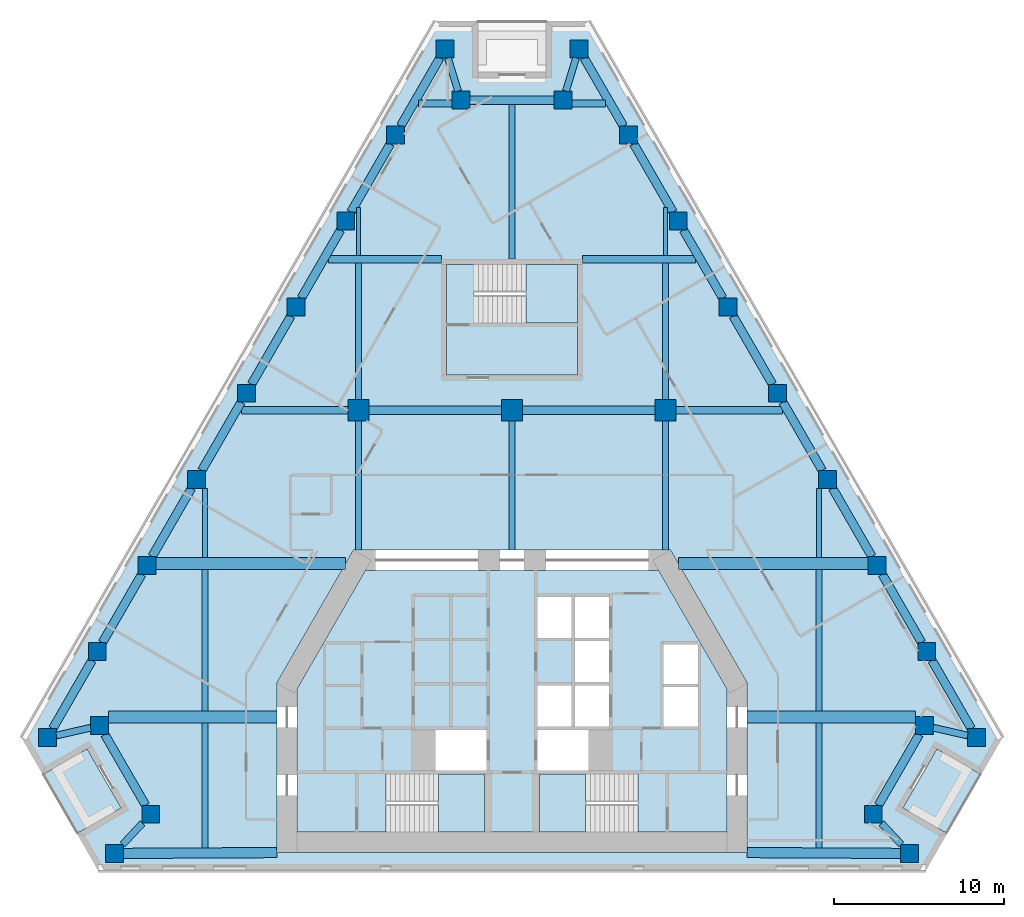
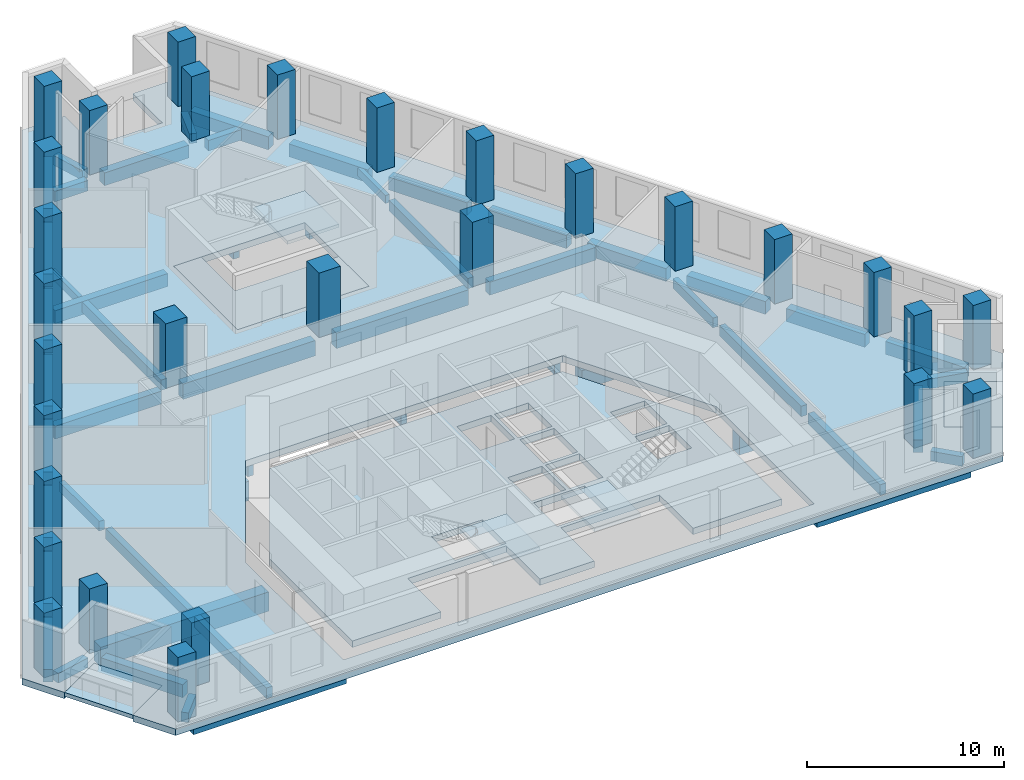
# One storey, part 1 of 8: 53 beams, 29 columns, 8 slabs, 3 elements without a shape of their own.
"""IFC4 building model written with IfcOpenShell, lengths in metres."""

from ifc_helpers import new_model, si_unit, direction, frame, origin, origin_2d, place, context, subcontext, project, spatial, polyline, rectangle, outline, extrude, material, layer, layer_set, material_profile, profile_set, type_object, element, aggregate, save


model = new_model("IFC4")

# Units and contexts
model_context = context("Model", 3, precision=1e-05, world=origin(), true_north=direction((0.0, 1.0)))
body_context = subcontext(model_context, "Body", "Model", "MODEL_VIEW")
ifc_project = project(units=[si_unit("LENGTHUNIT", "METRE"), si_unit("AREAUNIT", "SQUARE_METRE"), si_unit("VOLUMEUNIT", "CUBIC_METRE"), si_unit("PLANEANGLEUNIT", "RADIAN"), si_unit("MASSUNIT", "GRAM", prefix="KILO")], contexts=[model_context])

# Site, building, storey
site_placement = place(None, origin())
site = spatial("IfcSite", under=ifc_project, at=site_placement, CompositionType="ELEMENT")
building_placement = place(site_placement, origin())
building = spatial("IfcBuilding", under=site, at=building_placement, Name="Fogline Exchange Tower", CompositionType="ELEMENT")
storey_placement = place(building_placement, frame((0.0, 0.0, 162.89990234375)))
storey = spatial("IfcBuildingStorey", under=building, at=storey_placement, Name="L36", CompositionType="ELEMENT", Elevation=162.89990234375)

# Columns
ifc_material_1 = material(Name="Concrete C70", Category="concrete")
ifc_material_profile_1 = material_profile(ifc_material_1, rectangle(XDim=1.25, YDim=1.25, at=origin_2d()), Name="RC 1250x1250")
ifc_profile_set_1 = profile_set([ifc_material_profile_1], Name="Concrete C70")
column_type_1 = type_object("IfcColumnType", Name="C03", PredefinedType="COLUMN", material=ifc_profile_set_1)
for number, where, z_axis, x_axis, name in (
    (1, (-9.0, 27.0, 0.0), (0.0, 0.0, 1.0), (1.0, 0.0, 0.0), "IC--9-27"),
    (2, (0.0, 27.0, 0.0), (0.0, 0.0, 1.0), (1.0, 0.0, 0.0), "IC-0-27"),
    (3, (9.0, 27.0, 0.0), (0.0, 0.0, 1.0), (1.0, 0.0, 0.0), "IC-9-27"),
):
    element("IfcColumn", number, at=place(storey_placement, frame(where, z_axis=z_axis, x_axis=x_axis)), inside=storey, type_object=column_type_1, Name=name, PredefinedType="COLUMN", context=body_context, shape_type="SweptSolid", body=[
        extrude(rectangle(XDim=1.25, YDim=1.25, at=origin_2d()), origin(), (0.0, 0.0, 1.0), 4.0),
    ])
ifc_material_profile_2 = material_profile(ifc_material_1, rectangle(XDim=1.050048828125, YDim=1.050048828125, at=origin_2d()), Name="RC 1050x1050")
ifc_profile_set_2 = profile_set([ifc_material_profile_2], Name="Concrete C70")
column_type_2 = type_object("IfcColumnType", Name="C04", PredefinedType="COLUMN", material=ifc_profile_set_2)
for number, where, z_axis, x_axis, name in (
    (4, (-27.2490234375, 7.794189453125, 0.0), (0.0, 0.0, 1.0), (1.0, 0.0, 0.0), "SW-a"),
    (5, (-24.189697265625, 8.4951171875, 0.0), (0.0, 0.0, 1.0), (1.0, 0.0, 0.0), "SW-p4"),
    (6, (-21.189697265625, 3.299072265625, 0.0), (0.0, 0.0, 1.0), (1.0, 0.0, 0.0), "SW-p3"),
    (7, (-23.326416015625, 1.0, 0.0), (0.0, 0.0, 1.0), (1.0, 0.0, 0.0), "SW-b"),
    (8, (23.326416015625, 1.0, 0.0), (0.0, 0.0, 1.0), (1.0, 0.0, 0.0), "SE-a"),
    (9, (21.189697265625, 3.299072265625, 0.0), (0.0, 0.0, 1.0), (1.0, 0.0, 0.0), "SE-p4"),
    (10, (24.189697265625, 8.4951171875, 0.0), (0.0, 0.0, 1.0), (1.0, 0.0, 0.0), "SE-p3"),
    (11, (27.2490234375, 7.794189453125, 0.0), (0.0, 0.0, 1.0), (1.0, 0.0, 0.0), "SE-b"),
    (12, (24.333251953125, 12.844482421875, 0.0), (0.0, 0.0, 1.0), (1.0, 0.0, 0.0), "E1"),
    (13, (21.41748046875, 17.894775390625, 0.0), (0.0, 0.0, 1.0), (1.0, 0.0, 0.0), "E2"),
    (14, (18.501708984375, 22.945068359375, 0.0), (0.0, 0.0, 1.0), (1.0, 0.0, 0.0), "E3"),
    (15, (15.585693359375, 27.995361328125, 0.0), (0.0, 0.0, 1.0), (1.0, 0.0, 0.0), "E4"),
    (16, (12.669921875, 33.045654296875, 0.0), (0.0, 0.0, 1.0), (1.0, 0.0, 0.0), "E5"),
    (17, (9.754150390625, 38.095947265625, 0.0), (0.0, 0.0, 1.0), (1.0, 0.0, 0.0), "E6"),
    (18, (6.83837890625, 43.146240234375, 0.0), (0.0, 0.0, 1.0), (1.0, 0.0, 0.0), "E7"),
    (19, (3.922607421875, 48.19677734375, 0.0), (0.0, 0.0, 1.0), (1.0, 0.0, 0.0), "N-a"),
    (20, (3.0, 45.19677734375, 0.0), (0.0, 0.0, 1.0), (1.0, 0.0, 0.0), "N-p4"),
    (21, (-3.0, 45.19677734375, 0.0), (0.0, 0.0, 1.0), (1.0, 0.0, 0.0), "N-p3"),
    (22, (-3.922607421875, 48.19677734375, 0.0), (0.0, 0.0, 1.0), (1.0, 0.0, 0.0), "N-b"),
    (23, (-6.83837890625, 43.146240234375, 0.0), (0.0, 0.0, 1.0), (1.0, 0.0, 0.0), "W1"),
    (24, (-9.754150390625, 38.095947265625, 0.0), (0.0, 0.0, 1.0), (1.0, 0.0, 0.0), "W2"),
    (25, (-12.669921875, 33.045654296875, 0.0), (0.0, 0.0, 1.0), (1.0, 0.0, 0.0), "W3"),
    (26, (-15.585693359375, 27.995361328125, 0.0), (0.0, 0.0, 1.0), (1.0, 0.0, 0.0), "W4"),
    (27, (-18.501708984375, 22.945068359375, 0.0), (0.0, 0.0, 1.0), (1.0, 0.0, 0.0), "W5"),
    (28, (-21.41748046875, 17.894775390625, 0.0), (0.0, 0.0, 1.0), (1.0, 0.0, 0.0), "W6"),
    (29, (-24.333251953125, 12.844482421875, 0.0), (0.0, 0.0, 1.0), (1.0, 0.0, 0.0), "W7"),
):
    element("IfcColumn", number, at=place(storey_placement, frame(where, z_axis=z_axis, x_axis=x_axis)), inside=storey, type_object=column_type_2, Name=name, PredefinedType="COLUMN", context=body_context, shape_type="SweptSolid", body=[
        extrude(rectangle(XDim=1.050048828125, YDim=1.050048828125, at=origin_2d()), origin(), (0.0, 0.0, 1.0), 4.0),
    ])

# Beams
ifc_material_2 = material(Name="Concrete C40", Category="concrete")
ifc_material_profile_3 = material_profile(ifc_material_2, rectangle(XDim=0.300048828125, YDim=0.60009765625, at=origin_2d()), Name="RC 300x600")
ifc_profile_set_3 = profile_set([ifc_material_profile_3], Name="Concrete C40")
beam_type_1 = type_object("IfcBeamType", Name="B06", PredefinedType="BEAM", material=ifc_profile_set_3)
for number, where, z_axis, x_axis, name in (
    (30, (-18.0, 18.35009765625, -0.699951171875), (0.0, 1.0, 0.0), (-1.0, 0.0, 0.0), "SB003"),
    (31, (18.0, 18.35009765625, -0.699951171875), (0.0, 1.0, 0.0), (-1.0, 0.0, 0.0), "SB014"),
):
    element("IfcBeam", number, at=place(storey_placement, frame(where, z_axis=z_axis, x_axis=x_axis)), inside=storey, type_object=beam_type_1, Name=name, PredefinedType="BEAM", context=body_context, shape_type="SweptSolid", body=[
        extrude(rectangle(XDim=0.300048828125, YDim=0.60009765625, at=origin_2d()), origin(), (0.0, 0.0, 1.0), 4.070068359375),
    ])
ifc_material_profile_4 = material_profile(ifc_material_2, rectangle(XDim=0.25, YDim=0.5, at=origin_2d()), Name="RC 250x500")
ifc_profile_set_4 = profile_set([ifc_material_profile_4], Name="Concrete C40")
beam_type_2 = type_object("IfcBeamType", Name="B08", PredefinedType="BEAM", material=ifc_profile_set_4)
for number, where, z_axis, x_axis, name in (
    (32, (-9.0, 36.08203125, -0.64990234375), (0.0, 1.0, 0.0), (-1.0, 0.0, 0.0), "SB006"),
    (33, (9.0, 36.08203125, -0.64990234375), (0.0, 1.0, 0.0), (-1.0, 0.0, 0.0), "SB011"),
):
    element("IfcBeam", number, at=place(storey_placement, frame(where, z_axis=z_axis, x_axis=x_axis)), inside=storey, type_object=beam_type_2, Name=name, PredefinedType="BEAM", context=body_context, shape_type="SweptSolid", body=[
        extrude(rectangle(XDim=0.25, YDim=0.5, at=origin_2d()), origin(), (0.0, 0.0, 1.0), 2.8203125),
    ])
ifc_material_profile_5 = material_profile(ifc_material_2, rectangle(XDim=0.60009765625, YDim=0.89990234375, at=origin_2d()), Name="RC 600x900")
ifc_profile_set_5 = profile_set([ifc_material_profile_5], Name="Concrete C40")
beam_type_3 = type_object("IfcBeamType", Name="B09", PredefinedType="BEAM", material=ifc_profile_set_5)
for number, where, z_axis, x_axis, name in (
    (34, (-22.801513671875, 1.0, -0.849853515625), (0.999984543136, 0.005559990001, 0.0), (-0.005559990001, 0.999984543136, 0.0), "RB004"),
    (35, (13.800048828125, 1.050048828125, -0.849853515625), (0.999984543136, -0.005559990001, 0.0), (0.005559990001, 0.999984543136, 0.0), "RB005"),
):
    element("IfcBeam", number, at=place(storey_placement, frame(where, z_axis=z_axis, x_axis=x_axis)), inside=storey, type_object=beam_type_3, Name=name, PredefinedType="BEAM", context=body_context, shape_type="SweptSolid", body=[
        extrude(rectangle(XDim=0.60009765625, YDim=0.89990234375, at=origin_2d()), origin(), (0.0, 0.0, 1.0), 9.001708984375),
    ])
ifc_material_profile_6 = material_profile(ifc_material_2, rectangle(XDim=0.5, YDim=0.800048828125, at=origin_2d()), Name="RC 500x800")
ifc_profile_set_6 = profile_set([ifc_material_profile_6], Name="Concrete C40")
beam_type_4 = type_object("IfcBeamType", Name="B10", PredefinedType="BEAM", material=ifc_profile_set_6)
for number, where, z_axis, x_axis, name in (
    (36, (-23.886474609375, 7.97021484375, -0.7998046875), (0.499994660107, -0.866028486751, 0.0), (0.866028486751, 0.499994660107, 0.0), "RB002"),
    (37, (21.49267578125, 3.823974609375, -0.7998046875), (0.499994660107, 0.866028486751, 0.0), (-0.866028486751, 0.499994660107, 0.0), "RB007"),
):
    element("IfcBeam", number, at=place(storey_placement, frame(where, z_axis=z_axis, x_axis=x_axis)), inside=storey, type_object=beam_type_4, Name=name, PredefinedType="BEAM", context=body_context, shape_type="SweptSolid", body=[
        extrude(rectangle(XDim=0.5, YDim=0.800048828125, at=origin_2d()), origin(), (0.0, 0.0, 1.0), 4.78759765625),
    ])
for number, where, z_axis, x_axis, name in (
    (38, (26.94580078125, 8.319091796875, -0.7998046875), (-0.499981705991, 0.866035965578, 0.0), (-0.866035965578, -0.499981705991, 0.0), "RB009"),
    (39, (24.030029296875, 13.369384765625, -0.7998046875), (-0.499981705991, 0.866035965578, 0.0), (-0.866035965578, -0.499981705991, 0.0), "RB010"),
):
    element("IfcBeam", number, at=place(storey_placement, frame(where, z_axis=z_axis, x_axis=x_axis)), inside=storey, type_object=beam_type_4, Name=name, PredefinedType="BEAM", context=body_context, shape_type="SweptSolid", body=[
        extrude(rectangle(XDim=0.5, YDim=0.800048828125, at=origin_2d()), origin(), (0.0, 0.0, 1.0), 4.619384765625),
    ])
for number, where, z_axis, x_axis, name in (
    (40, (21.1142578125, 18.419921875, -0.7998046875), (-0.500004591975, 0.86602275259, 0.0), (-0.86602275259, -0.500004591975, 0.0), "RB011"),
    (41, (18.198486328125, 23.47021484375, -0.7998046875), (-0.500004591975, 0.86602275259, 0.0), (-0.86602275259, -0.500004591975, 0.0), "RB012"),
    (42, (15.28271484375, 28.5205078125, -0.7998046875), (-0.500004591975, 0.86602275259, 0.0), (-0.86602275259, -0.500004591975, 0.0), "RB013"),
    (43, (12.366943359375, 33.57080078125, -0.7998046875), (-0.500004591975, 0.86602275259, 0.0), (-0.86602275259, -0.500004591975, 0.0), "RB014"),
    (44, (9.451171875, 38.62109375, -0.7998046875), (-0.500004591975, 0.86602275259, 0.0), (-0.86602275259, -0.500004591975, 0.0), "RB015"),
    (45, (6.535400390625, 43.67138671875, -0.7998046875), (-0.500004591975, 0.86602275259, 0.0), (-0.86602275259, -0.500004591975, 0.0), "RB016"),
):
    element("IfcBeam", number, at=place(storey_placement, frame(where, z_axis=z_axis, x_axis=x_axis)), inside=storey, type_object=beam_type_4, Name=name, PredefinedType="BEAM", context=body_context, shape_type="SweptSolid", body=[
        extrude(rectangle(XDim=0.5, YDim=0.800048828125, at=origin_2d()), origin(), (0.0, 0.0, 1.0), 4.619140625),
    ])
beam_1_placement = place(storey_placement, frame((2.47509765625, 45.19677734375, -0.7998046875), z_axis=(-1.0, 0.0, 0.0), x_axis=(0.0, -1.0, 0.0)))
element("IfcBeam", 46, at=beam_1_placement, inside=storey, type_object=beam_type_4, Name="RB018", PredefinedType="BEAM", context=body_context, shape_type="SweptSolid", body=[
    extrude(rectangle(XDim=0.5, YDim=0.800048828125, at=origin_2d()), origin(), (0.0, 0.0, 1.0), 4.9501953125),
])
for number, where, z_axis, x_axis, name in (
    (47, (-4.225830078125, 47.671630859375, -0.7998046875), (-0.500004591975, -0.86602275259, 0.0), (0.86602275259, -0.500004591975, 0.0), "RB020"),
    (48, (-7.1416015625, 42.621337890625, -0.7998046875), (-0.500004591975, -0.86602275259, 0.0), (0.86602275259, -0.500004591975, 0.0), "RB021"),
    (49, (-10.057373046875, 37.571044921875, -0.7998046875), (-0.500004591975, -0.86602275259, 0.0), (0.86602275259, -0.500004591975, 0.0), "RB022"),
    (50, (-12.97314453125, 32.520751953125, -0.7998046875), (-0.500004591975, -0.86602275259, 0.0), (0.86602275259, -0.500004591975, 0.0), "RB023"),
    (51, (-15.888916015625, 27.470458984375, -0.7998046875), (-0.500004591975, -0.86602275259, 0.0), (0.86602275259, -0.500004591975, 0.0), "RB024"),
    (52, (-18.8046875, 22.420166015625, -0.7998046875), (-0.500004591975, -0.86602275259, 0.0), (0.86602275259, -0.500004591975, 0.0), "RB025"),
):
    element("IfcBeam", number, at=place(storey_placement, frame(where, z_axis=z_axis, x_axis=x_axis)), inside=storey, type_object=beam_type_4, Name=name, PredefinedType="BEAM", context=body_context, shape_type="SweptSolid", body=[
        extrude(rectangle(XDim=0.5, YDim=0.800048828125, at=origin_2d()), origin(), (0.0, 0.0, 1.0), 4.619140625),
    ])
for number, where, z_axis, x_axis, name in (
    (53, (-21.720458984375, 17.369873046875, -0.7998046875), (-0.499981705991, -0.866035965578, 0.0), (0.866035965578, -0.499981705991, 0.0), "RB026"),
    (54, (-24.63623046875, 12.319580078125, -0.7998046875), (-0.499981705991, -0.866035965578, 0.0), (0.866035965578, -0.499981705991, 0.0), "RB027"),
):
    element("IfcBeam", number, at=place(storey_placement, frame(where, z_axis=z_axis, x_axis=x_axis)), inside=storey, type_object=beam_type_4, Name=name, PredefinedType="BEAM", context=body_context, shape_type="SweptSolid", body=[
        extrude(rectangle(XDim=0.5, YDim=0.800048828125, at=origin_2d()), origin(), (0.0, 0.0, 1.0), 4.619384765625),
    ])
ifc_material_profile_7 = material_profile(ifc_material_2, rectangle(XDim=0.39990234375, YDim=0.60009765625, at=origin_2d()), Name="RC 400x600")
ifc_profile_set_7 = profile_set([ifc_material_profile_7], Name="Concrete C40")
beam_type_5 = type_object("IfcBeamType", Name="B11", PredefinedType="BEAM", material=ifc_profile_set_7)
beam_2_placement = place(storey_placement, frame((-26.72412109375, 7.91455078125, -0.699951171875), z_axis=(0.974739301343, 0.223345683676, 0.0), x_axis=(-0.223345683676, 0.974739301343, 0.0)))
element("IfcBeam", 55, at=beam_2_placement, inside=storey, type_object=beam_type_5, Name="RB001", PredefinedType="BEAM", context=body_context, shape_type="SweptSolid", body=[
    extrude(rectangle(XDim=0.39990234375, YDim=0.60009765625, at=origin_2d()), origin(), (0.0, 0.0, 1.0), 2.0615234375),
])
for number, where, z_axis, x_axis, name in (
    (56, (-21.677490234375, 2.77392578125, -0.699951171875), (-0.680791505026, -0.732477253357, 0.0), (0.732477253357, -0.680791505026, 0.0), "RB003"),
    (57, (22.83837890625, 1.52490234375, -0.699951171875), (-0.680791505026, 0.732477253357, 0.0), (-0.732477253357, -0.680791505026, 0.0), "RB006"),
):
    element("IfcBeam", number, at=place(storey_placement, frame(where, z_axis=z_axis, x_axis=x_axis)), inside=storey, type_object=beam_type_5, Name=name, PredefinedType="BEAM", context=body_context, shape_type="SweptSolid", body=[
        extrude(rectangle(XDim=0.39990234375, YDim=0.60009765625, at=origin_2d()), origin(), (0.0, 0.0, 1.0), 1.705322265625),
    ])
beam_3_placement = place(storey_placement, frame((24.714599609375, 8.375, -0.699951171875), z_axis=(0.974739301343, -0.223345683676, 0.0), x_axis=(0.223345683676, 0.974739301343, 0.0)))
element("IfcBeam", 58, at=beam_3_placement, inside=storey, type_object=beam_type_5, Name="RB008", PredefinedType="BEAM", context=body_context, shape_type="SweptSolid", body=[
    extrude(rectangle(XDim=0.39990234375, YDim=0.60009765625, at=origin_2d()), origin(), (0.0, 0.0, 1.0), 2.0615234375),
])
for number, where, z_axis, x_axis, name in (
    (59, (3.76123046875, 47.671630859375, -0.699951171875), (-0.293917654764, -0.955830744545, 0.0), (0.955830744545, -0.293917654764, 0.0), "RB017"),
    (60, (-3.16162109375, 45.7216796875, -0.699951171875), (-0.293917654764, 0.955830744545, 0.0), (-0.955830744545, -0.293917654764, 0.0), "RB019"),
):
    element("IfcBeam", number, at=place(storey_placement, frame(where, z_axis=z_axis, x_axis=x_axis)), inside=storey, type_object=beam_type_5, Name=name, PredefinedType="BEAM", context=body_context, shape_type="SweptSolid", body=[
        extrude(rectangle(XDim=0.39990234375, YDim=0.60009765625, at=origin_2d()), origin(), (0.0, 0.0, 1.0), 2.0400390625),
    ])
ifc_material_profile_8 = material_profile(ifc_material_2, rectangle(XDim=0.39990234375, YDim=0.64990234375, at=origin_2d()), Name="RC 400x650")
ifc_profile_set_8 = profile_set([ifc_material_profile_8], Name="Concrete C40")
beam_type_6 = type_object("IfcBeamType", Name="B13", PredefinedType="BEAM", material=ifc_profile_set_8)
for number, where, z_axis, x_axis, name in (
    (61, (-5.4794921875, 45.0, -0.724853515625), (1.0, 0.0, 0.0), (0.0, 1.0, 0.0), "GB011"),
    (62, (3.52490234375, 45.0, -0.724853515625), (1.0, 0.0, 0.0), (0.0, 1.0, 0.0), "GB012"),
):
    element("IfcBeam", number, at=place(storey_placement, frame(where, z_axis=z_axis, x_axis=x_axis)), inside=storey, type_object=beam_type_6, Name=name, PredefinedType="BEAM", context=body_context, shape_type="SweptSolid", body=[
        extrude(rectangle(XDim=0.39990234375, YDim=0.64990234375, at=origin_2d()), origin(), (0.0, 0.0, 1.0), 1.95458984375),
    ])
ifc_material_profile_9 = material_profile(ifc_material_2, rectangle(XDim=0.5, YDim=0.949951171875, at=origin_2d()), Name="RC 500x950")
ifc_profile_set_9 = profile_set([ifc_material_profile_9], Name="Concrete C40")
beam_type_7 = type_object("IfcBeamType", Name="B14", PredefinedType="BEAM", material=ifc_profile_set_9)
for number, where, z_axis, x_axis, name in (
    (63, (-8.375, 27.0, -0.875), (1.0, 0.0, 0.0), (0.0, 1.0, 0.0), "GB006"),
    (64, (0.625, 27.0, -0.875), (1.0, 0.0, 0.0), (0.0, 1.0, 0.0), "GB007"),
):
    element("IfcBeam", number, at=place(storey_placement, frame(where, z_axis=z_axis, x_axis=x_axis)), inside=storey, type_object=beam_type_7, Name=name, PredefinedType="BEAM", context=body_context, shape_type="SweptSolid", body=[
        extrude(rectangle(XDim=0.5, YDim=0.949951171875, at=origin_2d()), origin(), (0.0, 0.0, 1.0), 7.75),
    ])
ifc_material_profile_10 = material_profile(ifc_material_2, rectangle(XDim=0.35009765625, YDim=0.64990234375, at=origin_2d()), Name="RC 350x650")
ifc_profile_set_10 = profile_set([ifc_material_profile_10], Name="Concrete C40")
beam_type_8 = type_object("IfcBeamType", Name="B16", PredefinedType="BEAM", material=ifc_profile_set_10)
beam_4_placement = place(storey_placement, frame((-18.0, 1.327880859375, -0.724853515625), z_axis=(0.0, 1.0, 0.0), x_axis=(-1.0, 0.0, 0.0)))
element("IfcBeam", 65, at=beam_4_placement, inside=storey, type_object=beam_type_8, Name="SB001", PredefinedType="BEAM", context=body_context, shape_type="SweptSolid", body=[
    extrude(rectangle(XDim=0.35009765625, YDim=0.64990234375, at=origin_2d()), origin(), (0.0, 0.0, 1.0), 7.322021484375),
])
beam_5_placement = place(storey_placement, frame((-18.0, 9.35009765625, -0.724853515625), z_axis=(0.0, 1.0, 0.0), x_axis=(-1.0, 0.0, 0.0)))
element("IfcBeam", 66, at=beam_5_placement, inside=storey, type_object=beam_type_8, Name="SB002", PredefinedType="BEAM", context=body_context, shape_type="SweptSolid", body=[
    extrude(rectangle(XDim=0.35009765625, YDim=0.64990234375, at=origin_2d()), origin(), (0.0, 0.0, 1.0), 8.2998046875),
])
beam_6_placement = place(storey_placement, frame((-9.0, 18.800048828125, -0.724853515625), z_axis=(0.0, 1.0, 0.0), x_axis=(-1.0, 0.0, 0.0)))
element("IfcBeam", 67, at=beam_6_placement, inside=storey, type_object=beam_type_8, Name="SB004", PredefinedType="BEAM", context=body_context, shape_type="SweptSolid", body=[
    extrude(rectangle(XDim=0.35009765625, YDim=0.64990234375, at=origin_2d()), origin(), (0.0, 0.0, 1.0), 7.574951171875),
])
beam_7_placement = place(storey_placement, frame((-9.0, 27.625, -0.724853515625), z_axis=(0.0, 1.0, 0.0), x_axis=(-1.0, 0.0, 0.0)))
element("IfcBeam", 68, at=beam_7_placement, inside=storey, type_object=beam_type_8, Name="SB005", PredefinedType="BEAM", context=body_context, shape_type="SweptSolid", body=[
    extrude(rectangle(XDim=0.35009765625, YDim=0.64990234375, at=origin_2d()), origin(), (0.0, 0.0, 1.0), 8.007080078125),
])
beam_8_placement = place(storey_placement, frame((0.0, 18.800048828125, -0.724853515625), z_axis=(0.0, 1.0, 0.0), x_axis=(-1.0, 0.0, 0.0)))
element("IfcBeam", 69, at=beam_8_placement, inside=storey, type_object=beam_type_8, Name="SB007", PredefinedType="BEAM", context=body_context, shape_type="SweptSolid", body=[
    extrude(rectangle(XDim=0.35009765625, YDim=0.64990234375, at=origin_2d()), origin(), (0.0, 0.0, 1.0), 7.574951171875),
])
beam_9_placement = place(storey_placement, frame((0.0, 35.85693359375, -0.724853515625), z_axis=(0.0, 1.0, 0.0), x_axis=(-1.0, 0.0, 0.0)))
element("IfcBeam", 70, at=beam_9_placement, inside=storey, type_object=beam_type_8, Name="SB008", PredefinedType="BEAM", context=body_context, shape_type="SweptSolid", body=[
    extrude(rectangle(XDim=0.35009765625, YDim=0.64990234375, at=origin_2d()), origin(), (0.0, 0.0, 1.0), 9.08984375),
])
beam_10_placement = place(storey_placement, frame((9.0, 18.800048828125, -0.724853515625), z_axis=(0.0, 1.0, 0.0), x_axis=(-1.0, 0.0, 0.0)))
element("IfcBeam", 71, at=beam_10_placement, inside=storey, type_object=beam_type_8, Name="SB009", PredefinedType="BEAM", context=body_context, shape_type="SweptSolid", body=[
    extrude(rectangle(XDim=0.35009765625, YDim=0.64990234375, at=origin_2d()), origin(), (0.0, 0.0, 1.0), 7.574951171875),
])
beam_11_placement = place(storey_placement, frame((9.0, 27.625, -0.724853515625), z_axis=(0.0, 1.0, 0.0), x_axis=(-1.0, 0.0, 0.0)))
element("IfcBeam", 72, at=beam_11_placement, inside=storey, type_object=beam_type_8, Name="SB010", PredefinedType="BEAM", context=body_context, shape_type="SweptSolid", body=[
    extrude(rectangle(XDim=0.35009765625, YDim=0.64990234375, at=origin_2d()), origin(), (0.0, 0.0, 1.0), 8.007080078125),
])
beam_12_placement = place(storey_placement, frame((18.0, 1.327880859375, -0.724853515625), z_axis=(0.0, 1.0, 0.0), x_axis=(-1.0, 0.0, 0.0)))
element("IfcBeam", 73, at=beam_12_placement, inside=storey, type_object=beam_type_8, Name="SB012", PredefinedType="BEAM", context=body_context, shape_type="SweptSolid", body=[
    extrude(rectangle(XDim=0.35009765625, YDim=0.64990234375, at=origin_2d()), origin(), (0.0, 0.0, 1.0), 7.322021484375),
])
beam_13_placement = place(storey_placement, frame((18.0, 9.35009765625, -0.724853515625), z_axis=(0.0, 1.0, 0.0), x_axis=(-1.0, 0.0, 0.0)))
element("IfcBeam", 74, at=beam_13_placement, inside=storey, type_object=beam_type_8, Name="SB013", PredefinedType="BEAM", context=body_context, shape_type="SweptSolid", body=[
    extrude(rectangle(XDim=0.35009765625, YDim=0.64990234375, at=origin_2d()), origin(), (0.0, 0.0, 1.0), 8.2998046875),
])
ifc_material_profile_11 = material_profile(ifc_material_2, rectangle(XDim=0.699951171875, YDim=1.199951171875, at=origin_2d()), Name="RC 700x1200")
ifc_profile_set_11 = profile_set([ifc_material_profile_11], Name="Concrete C40")
beam_type_9 = type_object("IfcBeamType", Name="B17", PredefinedType="BEAM", material=ifc_profile_set_11)
for number, where, z_axis, x_axis, name in (
    (75, (-23.66455078125, 9.0, -1.0), (1.0, 0.0, 0.0), (0.0, 1.0, 0.0), "GB001"),
    (76, (13.800048828125, 9.0, -1.0), (1.0, 0.0, 0.0), (0.0, 1.0, 0.0), "GB002"),
):
    element("IfcBeam", number, at=place(storey_placement, frame(where, z_axis=z_axis, x_axis=x_axis)), inside=storey, type_object=beam_type_9, Name=name, PredefinedType="BEAM", context=body_context, shape_type="SweptSolid", body=[
        extrude(rectangle(XDim=0.699951171875, YDim=1.199951171875, at=origin_2d()), origin(), (0.0, 0.0, 1.0), 9.864501953125),
    ])
for number, where, z_axis, x_axis, name in (
    (77, (-20.892333984375, 18.0, -1.0), (1.0, 0.0, 0.0), (0.0, 1.0, 0.0), "GB003"),
    (78, (9.758056640625, 18.0, -1.0), (1.0, 0.0, 0.0), (0.0, 1.0, 0.0), "GB004"),
):
    element("IfcBeam", number, at=place(storey_placement, frame(where, z_axis=z_axis, x_axis=x_axis)), inside=storey, type_object=beam_type_9, Name=name, PredefinedType="BEAM", context=body_context, shape_type="SweptSolid", body=[
        extrude(rectangle(XDim=0.699951171875, YDim=1.199951171875, at=origin_2d()), origin(), (0.0, 0.0, 1.0), 11.13427734375),
    ])
ifc_material_profile_12 = material_profile(ifc_material_2, rectangle(XDim=0.449951171875, YDim=0.800048828125, at=origin_2d()), Name="RC 450x800")
ifc_profile_set_12 = profile_set([ifc_material_profile_12], Name="Concrete C40")
beam_type_10 = type_object("IfcBeamType", Name="B18", PredefinedType="BEAM", material=ifc_profile_set_12)
for number, where, z_axis, x_axis, name in (
    (79, (-15.871826171875, 27.0, -0.7998046875), (1.0, 0.0, 0.0), (0.0, 1.0, 0.0), "GB005"),
    (80, (9.625, 27.0, -0.7998046875), (1.0, 0.0, 0.0), (0.0, 1.0, 0.0), "GB008"),
):
    element("IfcBeam", number, at=place(storey_placement, frame(where, z_axis=z_axis, x_axis=x_axis)), inside=storey, type_object=beam_type_10, Name=name, PredefinedType="BEAM", context=body_context, shape_type="SweptSolid", body=[
        extrude(rectangle(XDim=0.449951171875, YDim=0.800048828125, at=origin_2d()), origin(), (0.0, 0.0, 1.0), 6.246826171875),
    ])
for number, where, z_axis, x_axis, name in (
    (81, (-10.75830078125, 35.85693359375, -0.7998046875), (1.0, 0.0, 0.0), (0.0, 1.0, 0.0), "GB009"),
    (82, (4.14990234375, 35.85693359375, -0.7998046875), (1.0, 0.0, 0.0), (0.0, 1.0, 0.0), "GB010"),
):
    element("IfcBeam", number, at=place(storey_placement, frame(where, z_axis=z_axis, x_axis=x_axis)), inside=storey, type_object=beam_type_10, Name=name, PredefinedType="BEAM", context=body_context, shape_type="SweptSolid", body=[
        extrude(rectangle(XDim=0.449951171875, YDim=0.800048828125, at=origin_2d()), origin(), (0.0, 0.0, 1.0), 6.6083984375),
    ])

# Slabs
ifc_layer_1 = layer(ifc_material_2, 0.25)
ifc_layer_set_1 = layer_set([ifc_layer_1], Name="DK1")
slab_type_1 = type_object("IfcSlabType", Name="DK1", PredefinedType="FLOOR", material=ifc_layer_set_1)
slab_1_placement = place(storey_placement, frame((0.0, 0.0, -0.25)))
element("IfcSlab", 83, at=slab_1_placement, inside=storey, type_object=slab_type_1, Name="Balcony L36 SW", PredefinedType="FLOOR", context=body_context, shape_type="SweptSolid", body=[
    extrude(outline(polyline([(-27.526123046875, 5.629150390625), (-25.526123046875, 2.1650390625), (-22.927978515625, 3.6650390625), (-24.927978515625, 7.129150390625), (-27.526123046875, 5.629150390625)])), origin(), (0.0, 0.0, 1.0), 0.25),
])
slab_2_placement = place(storey_placement, frame((0.0, 0.0, -0.25)))
element("IfcSlab", 84, at=slab_2_placement, inside=storey, type_object=slab_type_1, Name="Balcony L36 SE", PredefinedType="FLOOR", context=body_context, shape_type="SweptSolid", body=[
    extrude(outline(polyline([(25.526123046875, 2.1650390625), (27.526123046875, 5.629150390625), (24.927978515625, 7.129150390625), (22.927978515625, 3.6650390625), (25.526123046875, 2.1650390625)])), origin(), (0.0, 0.0, 1.0), 0.25),
])
ifc_layer_2 = layer(ifc_material_2, 0.39990234375)
ifc_layer_set_2 = layer_set([ifc_layer_2], Name="S03")
slab_type_2 = type_object("IfcSlabType", Name="S03", PredefinedType="FLOOR", material=ifc_layer_set_2)
slab_3_placement = place(storey_placement, frame((0.0, 0.0, -0.39990234375)))
element("IfcSlab", 85, at=slab_3_placement, inside=storey, type_object=slab_type_2, Name="SLAB L36", PredefinedType="FLOOR", context=body_context, shape_type="SweptSolid", body=[
    extrude(outline(polyline([(-2.0, 49.841796875), (-4.5, 49.841796875), (-28.776123046875, 7.794189453125), (-27.526123046875, 5.629150390625), (-24.927978515625, 7.129150390625), (-22.927978515625, 3.6650390625), (-25.526123046875, 2.1650390625), (-24.276123046875, 0.0), (24.276123046875, 0.0), (25.526123046875, 2.1650390625), (22.927978515625, 3.6650390625), (24.927978515625, 7.129150390625), (27.526123046875, 5.629150390625), (28.776123046875, 7.794189453125), (4.5, 49.841796875), (2.0, 49.841796875), (2.0, 46.841796875), (-2.0, 46.841796875), (-2.0, 49.841796875)]), holes=[polyline([(13.800048828125, 10.9990234375), (13.800048828125, 1.050048828125), (-13.800048828125, 1.050048828125), (-13.800048828125, 10.9990234375), (-9.296142578125, 18.800048828125), (9.296142578125, 18.800048828125), (13.800048828125, 10.9990234375)]), polyline([(3.85009765625, 35.556884765625), (3.85009765625, 29.056884765625), (-3.85009765625, 29.056884765625), (-3.85009765625, 35.556884765625), (3.85009765625, 35.556884765625)])]), origin(), (0.0, 0.0, 1.0), 0.39990234375),
])
slab_4_placement = place(storey_placement, frame((0.0, 0.0, -0.39990234375)))
element("IfcSlab", 86, at=slab_4_placement, inside=storey, type_object=slab_type_2, Name="Core floor slab", PredefinedType="FLOOR", context=body_context, shape_type="SweptSolid", body=[
    extrude(outline(polyline([(-12.60009765625, 2.25), (-12.60009765625, 10.677490234375), (-8.603271484375, 17.60009765625), (8.603271484375, 17.60009765625), (12.60009765625, 10.677490234375), (12.60009765625, 2.25), (7.389892578125, 2.25), (7.389892578125, 5.64990234375), (1.60009765625, 5.64990234375), (1.60009765625, 2.25), (-1.60009765625, 2.25), (-1.60009765625, 5.64990234375), (-7.389892578125, 5.64990234375), (-7.389892578125, 2.25), (-12.60009765625, 2.25)]), holes=[polyline([(-4.5, 8.25), (-4.5, 5.85009765625), (-1.5, 5.85009765625), (-1.5, 8.25), (-4.5, 8.25)]), polyline([(4.5, 8.25), (1.5, 8.25), (1.5, 5.85009765625), (4.5, 5.85009765625), (4.5, 8.25)]), polyline([(3.5, 10.85009765625), (1.5, 10.85009765625), (1.5, 8.449951171875), (3.5, 8.449951171875), (3.5, 10.85009765625)]), polyline([(1.5, 16.050048828125), (1.5, 13.64990234375), (3.5, 13.64990234375), (3.5, 16.050048828125), (1.5, 16.050048828125)]), polyline([(10.89990234375, 10.75), (8.89990234375, 10.75), (8.89990234375, 8.449951171875), (10.89990234375, 8.449951171875), (10.89990234375, 10.75)]), polyline([(5.699951171875, 10.85009765625), (3.699951171875, 10.85009765625), (3.699951171875, 8.449951171875), (5.699951171875, 8.449951171875), (5.699951171875, 10.85009765625)]), polyline([(8.89990234375, 13.25), (8.89990234375, 10.949951171875), (10.89990234375, 10.949951171875), (10.89990234375, 13.25), (8.89990234375, 13.25)]), polyline([(5.699951171875, 13.449951171875), (3.699951171875, 13.449951171875), (3.699951171875, 11.050048828125), (5.699951171875, 11.050048828125), (5.699951171875, 13.449951171875)]), polyline([(5.699951171875, 16.050048828125), (3.699951171875, 16.050048828125), (3.699951171875, 13.64990234375), (5.699951171875, 13.64990234375), (5.699951171875, 16.050048828125)])]), origin(), (0.0, 0.0, 1.0), 0.39990234375),
])
slab_5_placement = place(storey_placement, frame((0.0, 0.0, -0.39990234375)))
element("IfcSlab", 87, at=slab_5_placement, inside=storey, type_object=slab_type_2, Name="Stair enclosure floor slab", PredefinedType="FLOOR", context=body_context, shape_type="SweptSolid", body=[
    extrude(outline(polyline([(3.85009765625, 29.056884765625), (-3.85009765625, 29.056884765625), (-3.85009765625, 35.556884765625), (-2.239990234375, 35.556884765625), (-2.239990234375, 32.10693359375), (3.85009765625, 32.10693359375), (3.85009765625, 29.056884765625)])), origin(), (0.0, 0.0, 1.0), 0.39990234375),
])

# Stair, slab
stair_type = type_object("IfcStairType", Name="STR24-1667", PredefinedType="HALF_TURN_STAIR", material=ifc_material_2)
stair_1_placement = place(storey_placement, origin())
stair_1 = element("IfcStair", 88, at=stair_1_placement, inside=storey, type_object=stair_type, Name="Stair ST1", PredefinedType="HALF_TURN_STAIR")
ifc_layer_3 = layer(ifc_material_2, 0.199951171875)
ifc_layer_set_3 = layer_set([ifc_layer_3], Name="SL200")
slab_type_3 = type_object("IfcSlabType", Name="SL200", PredefinedType="LANDING", material=ifc_layer_set_3)
slab_6_placement = place(storey_placement, frame((0.0, 0.0, 1.800048828125)))
slab_6 = element("IfcSlab", 89, at=slab_6_placement, type_object=slab_type_3, Name="ST1 landing 1", PredefinedType="LANDING", context=body_context, shape_type="SweptSolid", body=[
    extrude(outline(polyline([(-4.320068359375, 2.25), (-1.60009765625, 2.25), (-1.60009765625, 5.64990234375), (-4.320068359375, 5.64990234375), (-4.320068359375, 2.25)])), origin(), (0.0, 0.0, 1.0), 0.199951171875),
])
aggregate(stair_1, [slab_6])

stair_2_placement = place(storey_placement, origin())
stair_2 = element("IfcStair", 90, at=stair_2_placement, inside=storey, type_object=stair_type, Name="Stair ST2", PredefinedType="HALF_TURN_STAIR")
slab_7_placement = place(storey_placement, frame((0.0, 0.0, 1.800048828125)))
slab_7 = element("IfcSlab", 91, at=slab_7_placement, type_object=slab_type_3, Name="ST2 landing 1", PredefinedType="LANDING", context=body_context, shape_type="SweptSolid", body=[
    extrude(outline(polyline([(1.60009765625, 2.25), (4.320068359375, 2.25), (4.320068359375, 5.64990234375), (1.60009765625, 5.64990234375), (1.60009765625, 2.25)])), origin(), (0.0, 0.0, 1.0), 0.199951171875),
])
aggregate(stair_2, [slab_7])

stair_3_placement = place(storey_placement, origin())
stair_3 = element("IfcStair", 92, at=stair_3_placement, inside=storey, type_object=stair_type, Name="Stair ST3", PredefinedType="HALF_TURN_STAIR")
slab_8_placement = place(storey_placement, frame((0.0, 0.0, 1.800048828125)))
slab_8 = element("IfcSlab", 93, at=slab_8_placement, type_object=slab_type_3, Name="ST3 landing 1", PredefinedType="LANDING", context=body_context, shape_type="SweptSolid", body=[
    extrude(outline(polyline([(0.830078125, 32.10693359375), (3.85009765625, 32.10693359375), (3.85009765625, 35.556884765625), (0.830078125, 35.556884765625), (0.830078125, 32.10693359375)])), origin(), (0.0, 0.0, 1.0), 0.199951171875),
])
aggregate(stair_3, [slab_8])

save(model, "model.ifc")
